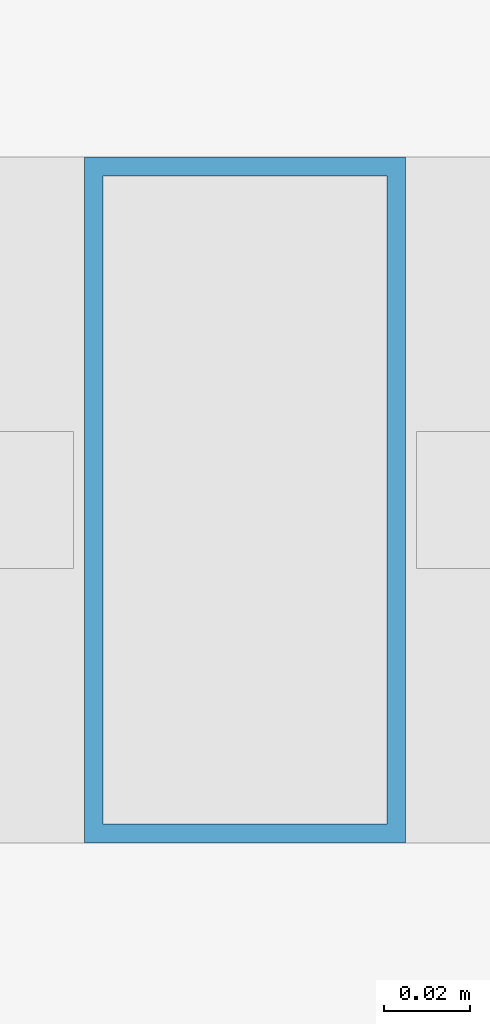
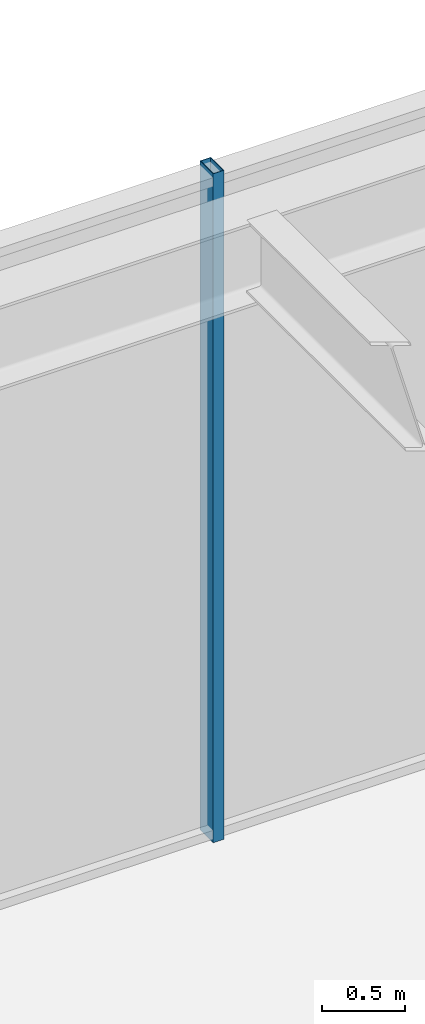
# One storey, part 33 of 49: 1 member, 1 element without a shape of its own.
"""IFC4 building model written with IfcOpenShell, lengths in metres."""

import ifcopenshell
import ifcopenshell.guid

model = None  # the IFC model being written
_history = None  # IfcOwnerHistory: only IFC2X3 demands one
_inside = {}  # id of a spatial element -> (the spatial element, [elements in it])
_under = {}  # id of a project, library or spatial element -> (it, [spatial elements below it])
_declared = {}  # id of a project -> (the project, [libraries it declares])
_typed = {}  # id of a type object -> (the type object, [elements of that type])
_made_of = {}  # id of a material, layer set ... -> (it, [elements and type objects made of it])


def new_model(schema):
    """Start an empty IFC model of exactly this schema.

    Asked for "IFC4X3", IfcOpenShell would pick the latest addendum, in which some entities
    have other attributes; the version numbers below select the first issue.
    IFC2X3 requires an IfcOwnerHistory on every rooted entity: one is made here for all.
    """
    global model, _history
    if schema == "IFC4X3":
        model = ifcopenshell.file(schema_version=(4, 3, 0, 0))
    else:
        model = ifcopenshell.file(schema=schema)
    _inside.clear()
    _under.clear()
    _declared.clear()
    _typed.clear()
    _made_of.clear()
    _history = None
    if model.schema == "IFC2X3":
        org = make("IfcOrganization", Name="unknown")
        user = make(
            "IfcPersonAndOrganization",
            ThePerson=make("IfcPerson", FamilyName="unknown"),
            TheOrganization=org,
        )
        app = make(
            "IfcApplication",
            ApplicationDeveloper=org,
            Version="unknown",
            ApplicationFullName="unknown",
            ApplicationIdentifier="unknown",
        )
        _history = make(
            "IfcOwnerHistory",
            OwningUser=user,
            OwningApplication=app,
            ChangeAction="ADDED",
            CreationDate=0,
        )
    return model


def make(cls, **values):
    """One entity of the class cls with the attributes given. An attribute that is None is left unset."""
    return model.create_entity(
        cls, **{name: value for name, value in values.items() if value is not None}
    )


def rooted(cls, **values):
    """An entity with a GlobalId (a new one), such as an element, a storey or a relation."""
    return make(cls, GlobalId=ifcopenshell.guid.new(), OwnerHistory=_history, **values)


def si_unit(unit_type, name, prefix=None):
    """IfcSIUnit, for example si_unit("LENGTHUNIT", "METRE", prefix="MILLI")."""
    return make("IfcSIUnit", UnitType=unit_type, Prefix=prefix, Name=name)


def assignment(units):
    """IfcUnitAssignment: the units of a project."""
    return None if units is None else make("IfcUnitAssignment", Units=units)


def point(xyz):
    """IfcCartesianPoint."""
    return None if xyz is None else make("IfcCartesianPoint", Coordinates=xyz)


def direction(xyz):
    """IfcDirection."""
    return None if xyz is None else make("IfcDirection", DirectionRatios=xyz)


def frame(location, z_axis=None, x_axis=None):
    """IfcAxis2Placement3D, a coordinate frame: its origin and axes. An axis left out is left unset."""
    return make(
        "IfcAxis2Placement3D",
        Location=point(location),
        Axis=direction(z_axis),
        RefDirection=direction(x_axis),
    )


def frame_2d(location, x_axis=None):
    """IfcAxis2Placement2D, a coordinate frame in the plane: its origin and x axis."""
    return make(
        "IfcAxis2Placement2D", Location=point(location), RefDirection=direction(x_axis)
    )


def origin():
    """The frame at (0, 0, 0) with its axes left unset."""
    return frame((0.0, 0.0, 0.0))


def origin_2d():
    """The frame at (0, 0) in the plane with its x axis left unset."""
    return frame_2d((0.0, 0.0))


def place(relative_to, where):
    """IfcLocalPlacement: puts the frame where relative to a parent placement (None: the world)."""
    return make(
        "IfcLocalPlacement", PlacementRelTo=relative_to, RelativePlacement=where
    )


def context(
    kind, dimensions, precision=None, world=None, true_north=None, identifier=None
):
    """IfcGeometricRepresentationContext, for example the 3D "Model" context."""
    return make(
        "IfcGeometricRepresentationContext",
        ContextIdentifier=identifier,
        ContextType=kind,
        CoordinateSpaceDimension=dimensions,
        Precision=precision,
        WorldCoordinateSystem=world,
        TrueNorth=true_north,
    )


def subcontext(parent, identifier, kind, view, scale=None):
    """IfcGeometricRepresentationSubContext, for example "Body" below "Model"."""
    return make(
        "IfcGeometricRepresentationSubContext",
        ContextIdentifier=identifier,
        ContextType=kind,
        ParentContext=parent,
        TargetScale=scale,
        TargetView=view,
    )


def project(units=None, contexts=None):
    """IfcProject with its units and contexts."""
    return rooted(
        "IfcProject",
        Name="project",
        RepresentationContexts=contexts,
        UnitsInContext=assignment(units),
    )


def spatial(cls, under=None, at=None, **own):
    """A site, building, storey or space (cls), placed at a placement, below another one or the project."""
    s = rooted(cls, ObjectPlacement=at, **own)
    if under is not None:
        _under.setdefault(under.id(), (under, []))[1].append(s)
    return s


def profile(cls, at=None, kind="AREA", **sizes):
    """A parametric profile (cls). Its sizes go by their IFC names, for example OverallWidth=200.0."""
    return make(cls, ProfileType=kind, Position=at, **sizes)


def hollow_rectangle(**sizes):
    """IfcRectangleHollowProfileDef."""
    return profile("IfcRectangleHollowProfileDef", **sizes)


def extrude(swept, where, along, depth):
    """IfcExtrudedAreaSolid: the profile swept, set in the frame where, extruded along a direction by depth."""
    return make(
        "IfcExtrudedAreaSolid",
        SweptArea=swept,
        Position=where,
        ExtrudedDirection=direction(along),
        Depth=depth,
    )


def shape(context_of_items, identifier, shape_type, items):
    """IfcShapeRepresentation: the items that make up one representation, for example the "Body"."""
    return make(
        "IfcShapeRepresentation",
        ContextOfItems=context_of_items,
        RepresentationIdentifier=identifier,
        RepresentationType=shape_type,
        Items=items,
    )


def material(Name=None, Category=None):
    """IfcMaterial."""
    return make("IfcMaterial", Name=Name, Category=Category)


def material_profile(
    of_material, cross_section, Name=None, Category=None, Priority=None
):
    """IfcMaterialProfile: a cross section and its material."""
    return make(
        "IfcMaterialProfile",
        Name=Name,
        Material=of_material,
        Profile=cross_section,
        Priority=Priority,
        Category=Category,
    )


def profile_set(profiles, Name=None, composite=None):
    """IfcMaterialProfileSet."""
    return make(
        "IfcMaterialProfileSet",
        Name=Name,
        MaterialProfiles=profiles,
        CompositeProfile=composite,
    )


def made_of(thing, what):
    """Note that an element or type object is made of a material, layer set ...; save() writes the relation."""
    if what is not None:
        _made_of.setdefault(what.id(), (what, []))[1].append(thing)
    return thing


def type_object(cls, material=None, **own):
    """A type object (cls), such as IfcWallType, which elements share."""
    return made_of(rooted(cls, **own), material)


def element(
    cls,
    number,
    at=None,
    inside=None,
    cuts=None,
    type_object=None,
    material=None,
    context=None,
    identifier="Body",
    shape_type=None,
    held_by="IfcProductDefinitionShape",
    body=None,
    shapes=None,
    **own,
):
    """One element of the class cls, such as IfcWall. Its Tag is "e" and its number.

    at: its placement. inside: the storey or other place that contains it. cuts: it is an
    opening in that element (IfcRelVoidsElement). A single representation is given by context,
    identifier, shape_type and body (its items); several are given by shapes. held_by: the class
    of the entity that holds the representations. save() writes the other relations.
    """
    e = rooted(cls, Tag="e%d" % number, ObjectPlacement=at, **own)
    if body is not None:
        shapes = [shape(context, identifier, shape_type, body)]
    if shapes is not None:
        e.Representation = make(held_by, Representations=shapes)
    if inside is not None:
        _inside.setdefault(inside.id(), (inside, []))[1].append(e)
    if cuts is not None:
        rooted(
            "IfcRelVoidsElement", RelatingBuildingElement=cuts, RelatedOpeningElement=e
        )
    if type_object is not None:
        _typed.setdefault(type_object.id(), (type_object, []))[1].append(e)
    return made_of(e, material)


def aggregate(whole, parts):
    """IfcRelAggregates: a whole, such as a stair, and the parts it consists of."""
    return rooted("IfcRelAggregates", RelatingObject=whole, RelatedObjects=parts)


def save(model, path):
    """Write the relations noted so far, then the file.

    IfcRelAggregates (storeys below a building ...), IfcRelContainedInSpatialStructure (elements
    in a storey), IfcRelDefinesByType, IfcRelAssociatesMaterial and IfcRelDeclares: one each for
    every whole, place, type object, material and project.
    """
    for whole, parts in _under.values():
        aggregate(whole, parts)
    for where, things in _inside.values():
        rooted(
            "IfcRelContainedInSpatialStructure",
            RelatedElements=things,
            RelatingStructure=where,
        )
    for kind, things in _typed.values():
        rooted("IfcRelDefinesByType", RelatedObjects=things, RelatingType=kind)
    for what, things in _made_of.values():
        rooted("IfcRelAssociatesMaterial", RelatedObjects=things, RelatingMaterial=what)
    for by, libraries in _declared.values():
        rooted("IfcRelDeclares", RelatingContext=by, RelatedDefinitions=libraries)
    model.write(path)


model = new_model("IFC4")

# Units and contexts
model_context = context("Model", 3, precision=1e-05, world=origin(), true_north=direction((0.0, 1.0)))
body_context = subcontext(model_context, "Body", "Model", "MODEL_VIEW")
ifc_project = project(units=[si_unit("LENGTHUNIT", "METRE"), si_unit("AREAUNIT", "SQUARE_METRE"), si_unit("VOLUMEUNIT", "CUBIC_METRE"), si_unit("PLANEANGLEUNIT", "RADIAN"), si_unit("MASSUNIT", "GRAM", prefix="KILO")], contexts=[model_context])

# Site, building, storey
site_placement = place(None, origin())
site = spatial("IfcSite", under=ifc_project, at=site_placement, CompositionType="ELEMENT")
building_placement = place(site_placement, origin())
building = spatial("IfcBuilding", under=site, at=building_placement, Name="Kolvaren Belvedere", CompositionType="ELEMENT")
storey_placement = place(building_placement, frame((0.0, 0.0, 10.0)))
storey = spatial("IfcBuildingStorey", under=building, at=storey_placement, Name="L03", CompositionType="ELEMENT", Elevation=10.0)

# Curtain wall, member
ifc_material_1 = material(Name="Anodised pale-metal aluminium AA 6063-T6", Category="aluminium")
curtain_wall_type = type_object("IfcCurtainWallType", Name="CW-POD-A", PredefinedType="NOTDEFINED", material=ifc_material_1)
curtain_wall_placement = place(storey_placement, origin())
curtain_wall = element("IfcCurtainWall", 1, at=curtain_wall_placement, inside=storey, type_object=curtain_wall_type, Name="L03 Unitised Curtain Wall FCW-L03-SEG7", PredefinedType="NOTDEFINED")
ifc_material_2 = material(Name="Anodised pale-metal aluminium AA 6063-T6", Category="aluminium")
ifc_material_profile = material_profile(ifc_material_2, hollow_rectangle(XDim=0.074951171875, YDim=0.159912109375, WallThickness=0.00439453125, at=origin_2d()), Name="ALU-MUL-160X75")
ifc_profile_set = profile_set([ifc_material_profile], Name="Anodised pale-metal aluminium AA 6063-T6")
member_type = type_object("IfcMemberType", Name="CW-MUL-160", PredefinedType="MULLION", material=ifc_profile_set)
member_placement = place(storey_placement, frame((0.0, 28.280029296875, 0.0), z_axis=(0.0, 0.0, 1.0), x_axis=(1.0, 0.0, 0.0)))
member = element("IfcMember", 2, at=member_placement, type_object=member_type, Name="FCW-L03-SEG7 Unitised Mullion 3", PredefinedType="MULLION", context=body_context, shape_type="SweptSolid", body=[
    extrude(hollow_rectangle(XDim=0.074951171875, YDim=0.159912109375, WallThickness=0.00439453125, at=origin_2d()), origin(), (0.0, 0.0, 1.0), 4.919921875),
])
aggregate(curtain_wall, [member])

save(model, "model.ifc")
